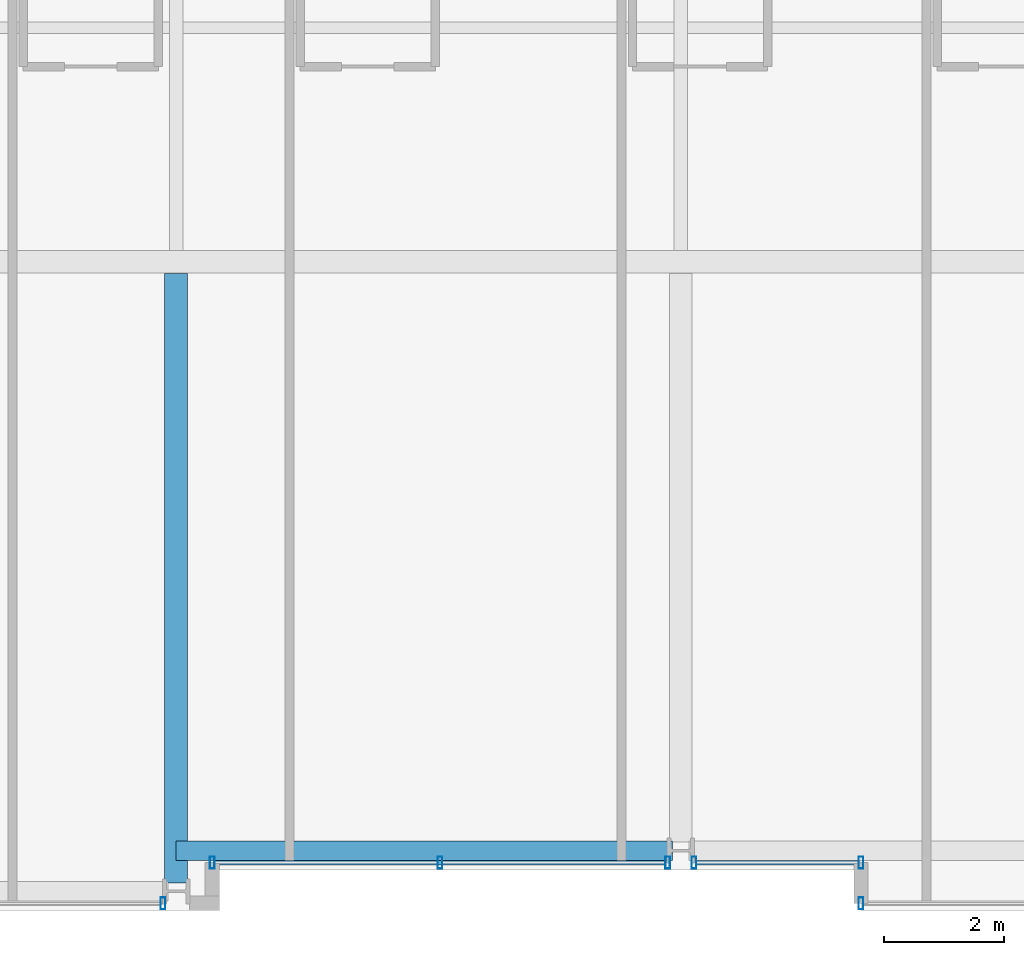
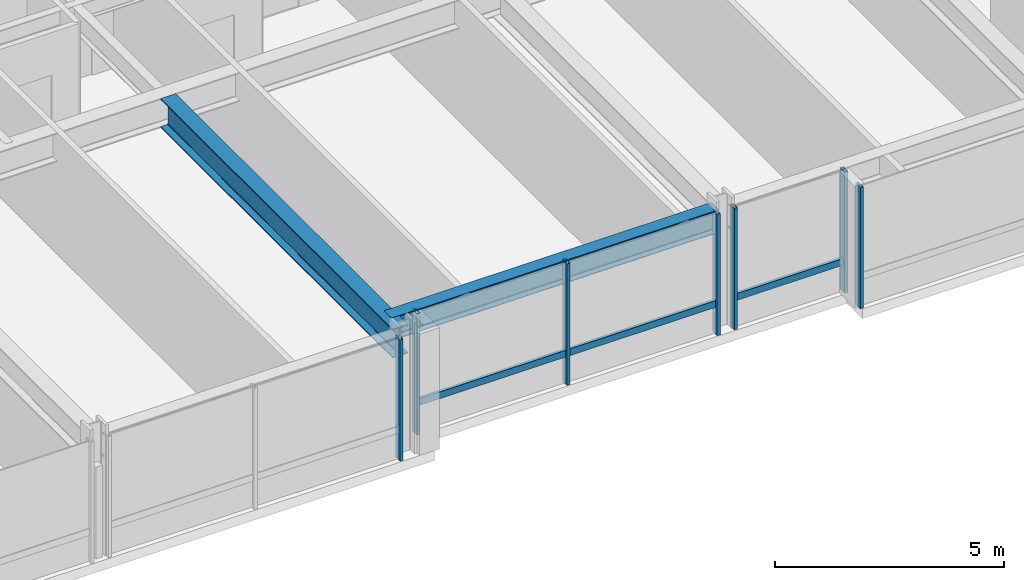
# One storey, part 5 of 34: 9 members, 2 beams, 4 elements without a shape of their own.
"""IFC4 building model written with IfcOpenShell, lengths in metres."""

import ifcopenshell
import ifcopenshell.guid

model = None  # the IFC model being written
_history = None  # IfcOwnerHistory: only IFC2X3 demands one
_inside = {}  # id of a spatial element -> (the spatial element, [elements in it])
_under = {}  # id of a project, library or spatial element -> (it, [spatial elements below it])
_declared = {}  # id of a project -> (the project, [libraries it declares])
_typed = {}  # id of a type object -> (the type object, [elements of that type])
_made_of = {}  # id of a material, layer set ... -> (it, [elements and type objects made of it])


def new_model(schema):
    """Start an empty IFC model of exactly this schema.

    Asked for "IFC4X3", IfcOpenShell would pick the latest addendum, in which some entities
    have other attributes; the version numbers below select the first issue.
    IFC2X3 requires an IfcOwnerHistory on every rooted entity: one is made here for all.
    """
    global model, _history
    if schema == "IFC4X3":
        model = ifcopenshell.file(schema_version=(4, 3, 0, 0))
    else:
        model = ifcopenshell.file(schema=schema)
    _inside.clear()
    _under.clear()
    _declared.clear()
    _typed.clear()
    _made_of.clear()
    _history = None
    if model.schema == "IFC2X3":
        org = make("IfcOrganization", Name="unknown")
        user = make(
            "IfcPersonAndOrganization",
            ThePerson=make("IfcPerson", FamilyName="unknown"),
            TheOrganization=org,
        )
        app = make(
            "IfcApplication",
            ApplicationDeveloper=org,
            Version="unknown",
            ApplicationFullName="unknown",
            ApplicationIdentifier="unknown",
        )
        _history = make(
            "IfcOwnerHistory",
            OwningUser=user,
            OwningApplication=app,
            ChangeAction="ADDED",
            CreationDate=0,
        )
    return model


def make(cls, **values):
    """One entity of the class cls with the attributes given. An attribute that is None is left unset."""
    return model.create_entity(
        cls, **{name: value for name, value in values.items() if value is not None}
    )


def rooted(cls, **values):
    """An entity with a GlobalId (a new one), such as an element, a storey or a relation."""
    return make(cls, GlobalId=ifcopenshell.guid.new(), OwnerHistory=_history, **values)


def si_unit(unit_type, name, prefix=None):
    """IfcSIUnit, for example si_unit("LENGTHUNIT", "METRE", prefix="MILLI")."""
    return make("IfcSIUnit", UnitType=unit_type, Prefix=prefix, Name=name)


def assignment(units):
    """IfcUnitAssignment: the units of a project."""
    return None if units is None else make("IfcUnitAssignment", Units=units)


def point(xyz):
    """IfcCartesianPoint."""
    return None if xyz is None else make("IfcCartesianPoint", Coordinates=xyz)


def direction(xyz):
    """IfcDirection."""
    return None if xyz is None else make("IfcDirection", DirectionRatios=xyz)


def frame(location, z_axis=None, x_axis=None):
    """IfcAxis2Placement3D, a coordinate frame: its origin and axes. An axis left out is left unset."""
    return make(
        "IfcAxis2Placement3D",
        Location=point(location),
        Axis=direction(z_axis),
        RefDirection=direction(x_axis),
    )


def frame_2d(location, x_axis=None):
    """IfcAxis2Placement2D, a coordinate frame in the plane: its origin and x axis."""
    return make(
        "IfcAxis2Placement2D", Location=point(location), RefDirection=direction(x_axis)
    )


def origin():
    """The frame at (0, 0, 0) with its axes left unset."""
    return frame((0.0, 0.0, 0.0))


def origin_2d():
    """The frame at (0, 0) in the plane with its x axis left unset."""
    return frame_2d((0.0, 0.0))


def place(relative_to, where):
    """IfcLocalPlacement: puts the frame where relative to a parent placement (None: the world)."""
    return make(
        "IfcLocalPlacement", PlacementRelTo=relative_to, RelativePlacement=where
    )


def context(
    kind, dimensions, precision=None, world=None, true_north=None, identifier=None
):
    """IfcGeometricRepresentationContext, for example the 3D "Model" context."""
    return make(
        "IfcGeometricRepresentationContext",
        ContextIdentifier=identifier,
        ContextType=kind,
        CoordinateSpaceDimension=dimensions,
        Precision=precision,
        WorldCoordinateSystem=world,
        TrueNorth=true_north,
    )


def subcontext(parent, identifier, kind, view, scale=None):
    """IfcGeometricRepresentationSubContext, for example "Body" below "Model"."""
    return make(
        "IfcGeometricRepresentationSubContext",
        ContextIdentifier=identifier,
        ContextType=kind,
        ParentContext=parent,
        TargetScale=scale,
        TargetView=view,
    )


def project(units=None, contexts=None):
    """IfcProject with its units and contexts."""
    return rooted(
        "IfcProject",
        Name="project",
        RepresentationContexts=contexts,
        UnitsInContext=assignment(units),
    )


def spatial(cls, under=None, at=None, **own):
    """A site, building, storey or space (cls), placed at a placement, below another one or the project."""
    s = rooted(cls, ObjectPlacement=at, **own)
    if under is not None:
        _under.setdefault(under.id(), (under, []))[1].append(s)
    return s


def profile(cls, at=None, kind="AREA", **sizes):
    """A parametric profile (cls). Its sizes go by their IFC names, for example OverallWidth=200.0."""
    return make(cls, ProfileType=kind, Position=at, **sizes)


def hollow_rectangle(**sizes):
    """IfcRectangleHollowProfileDef."""
    return profile("IfcRectangleHollowProfileDef", **sizes)


def i_section(**sizes):
    """IfcIShapeProfileDef."""
    return profile("IfcIShapeProfileDef", **sizes)


def extrude(swept, where, along, depth):
    """IfcExtrudedAreaSolid: the profile swept, set in the frame where, extruded along a direction by depth."""
    return make(
        "IfcExtrudedAreaSolid",
        SweptArea=swept,
        Position=where,
        ExtrudedDirection=direction(along),
        Depth=depth,
    )


def shape(context_of_items, identifier, shape_type, items):
    """IfcShapeRepresentation: the items that make up one representation, for example the "Body"."""
    return make(
        "IfcShapeRepresentation",
        ContextOfItems=context_of_items,
        RepresentationIdentifier=identifier,
        RepresentationType=shape_type,
        Items=items,
    )


def material(Name=None, Category=None):
    """IfcMaterial."""
    return make("IfcMaterial", Name=Name, Category=Category)


def layer(
    of_material, thickness, ventilated=None, Name=None, Category=None, Priority=None
):
    """IfcMaterialLayer: one layer of a wall or slab, of a material (None: an air gap)."""
    return make(
        "IfcMaterialLayer",
        Material=of_material,
        LayerThickness=thickness,
        IsVentilated=ventilated,
        Name=Name,
        Category=Category,
        Priority=Priority,
    )


def layer_set(layers, Name=None):
    """IfcMaterialLayerSet."""
    return make("IfcMaterialLayerSet", MaterialLayers=layers, LayerSetName=Name)


def material_profile(
    of_material, cross_section, Name=None, Category=None, Priority=None
):
    """IfcMaterialProfile: a cross section and its material."""
    return make(
        "IfcMaterialProfile",
        Name=Name,
        Material=of_material,
        Profile=cross_section,
        Priority=Priority,
        Category=Category,
    )


def profile_set(profiles, Name=None, composite=None):
    """IfcMaterialProfileSet."""
    return make(
        "IfcMaterialProfileSet",
        Name=Name,
        MaterialProfiles=profiles,
        CompositeProfile=composite,
    )


def made_of(thing, what):
    """Note that an element or type object is made of a material, layer set ...; save() writes the relation."""
    if what is not None:
        _made_of.setdefault(what.id(), (what, []))[1].append(thing)
    return thing


def type_object(cls, material=None, **own):
    """A type object (cls), such as IfcWallType, which elements share."""
    return made_of(rooted(cls, **own), material)


def element(
    cls,
    number,
    at=None,
    inside=None,
    cuts=None,
    type_object=None,
    material=None,
    context=None,
    identifier="Body",
    shape_type=None,
    held_by="IfcProductDefinitionShape",
    body=None,
    shapes=None,
    **own,
):
    """One element of the class cls, such as IfcWall. Its Tag is "e" and its number.

    at: its placement. inside: the storey or other place that contains it. cuts: it is an
    opening in that element (IfcRelVoidsElement). A single representation is given by context,
    identifier, shape_type and body (its items); several are given by shapes. held_by: the class
    of the entity that holds the representations. save() writes the other relations.
    """
    e = rooted(cls, Tag="e%d" % number, ObjectPlacement=at, **own)
    if body is not None:
        shapes = [shape(context, identifier, shape_type, body)]
    if shapes is not None:
        e.Representation = make(held_by, Representations=shapes)
    if inside is not None:
        _inside.setdefault(inside.id(), (inside, []))[1].append(e)
    if cuts is not None:
        rooted(
            "IfcRelVoidsElement", RelatingBuildingElement=cuts, RelatedOpeningElement=e
        )
    if type_object is not None:
        _typed.setdefault(type_object.id(), (type_object, []))[1].append(e)
    return made_of(e, material)


def aggregate(whole, parts):
    """IfcRelAggregates: a whole, such as a stair, and the parts it consists of."""
    return rooted("IfcRelAggregates", RelatingObject=whole, RelatedObjects=parts)


def save(model, path):
    """Write the relations noted so far, then the file.

    IfcRelAggregates (storeys below a building ...), IfcRelContainedInSpatialStructure (elements
    in a storey), IfcRelDefinesByType, IfcRelAssociatesMaterial and IfcRelDeclares: one each for
    every whole, place, type object, material and project.
    """
    for whole, parts in _under.values():
        aggregate(whole, parts)
    for where, things in _inside.values():
        rooted(
            "IfcRelContainedInSpatialStructure",
            RelatedElements=things,
            RelatingStructure=where,
        )
    for kind, things in _typed.values():
        rooted("IfcRelDefinesByType", RelatedObjects=things, RelatingType=kind)
    for what, things in _made_of.values():
        rooted("IfcRelAssociatesMaterial", RelatedObjects=things, RelatingMaterial=what)
    for by, libraries in _declared.values():
        rooted("IfcRelDeclares", RelatingContext=by, RelatedDefinitions=libraries)
    model.write(path)


model = new_model("IFC4")

# Units and contexts
model_context = context("Model", 3, precision=1e-05, world=origin(), true_north=direction((0.0, 1.0)))
body_context = subcontext(model_context, "Body", "Model", "MODEL_VIEW")
ifc_project = project(units=[si_unit("LENGTHUNIT", "METRE"), si_unit("AREAUNIT", "SQUARE_METRE"), si_unit("VOLUMEUNIT", "CUBIC_METRE"), si_unit("PLANEANGLEUNIT", "RADIAN"), si_unit("MASSUNIT", "GRAM", prefix="KILO")], contexts=[model_context])

# Site, building, storey
site_placement = place(None, origin())
site = spatial("IfcSite", under=ifc_project, at=site_placement, CompositionType="ELEMENT")
building_placement = place(site_placement, origin())
building = spatial("IfcBuilding", under=site, at=building_placement, Name="Drelvath Grand Hotel", CompositionType="ELEMENT")
storey_placement = place(building_placement, frame((0.0, 0.0, 91.800048828125)))
storey = spatial("IfcBuildingStorey", under=building, at=storey_placement, Name="L22", CompositionType="ELEMENT", Elevation=91.800048828125)

# Curtain wall, member
ifc_material_1 = material(Name="Champagne Bronze Anodised Aluminium Frame", Category="aluminium")
ifc_layer = layer(ifc_material_1, 0.199951171875)
ifc_layer_set = layer_set([ifc_layer], Name="Champagne Bronze Anodised Aluminium Frame")
curtain_wall_type = type_object("IfcCurtainWallType", Name="Stick Curtain Wall CW-03 Champagne Bronze Mid-Rise", PredefinedType="NOTDEFINED", material=ifc_layer_set)
curtain_wall_1_placement = place(storey_placement, origin())
curtain_wall_1 = element("IfcCurtainWall", 1, at=curtain_wall_1_placement, inside=storey, type_object=curtain_wall_type, Name="L22 CW-03 Curtain Wall CW03-L22-SM1", PredefinedType="NOTDEFINED")
ifc_material_profile_1 = material_profile(ifc_material_1, hollow_rectangle(XDim=0.074951171875, YDim=0.179931640625, WallThickness=0.0048828125, at=origin_2d()), Name="HSS180X75X5")
ifc_profile_set_1 = profile_set([ifc_material_profile_1], Name="Champagne Bronze Anodised Aluminium Frame")
member_type_1 = type_object("IfcMemberType", Name="Curtain Wall Horizontal Transom CW-03 HSS180X75X5", PredefinedType="USERDEFINED", material=ifc_profile_set_1)
member_1_placement = place(storey_placement, frame((-0.259521484375, 0.800048828125, 0.81005859375), z_axis=(-1.0, 0.0, 0.0), x_axis=(0.0, -1.0, 0.0)))
member_1 = element("IfcMember", 2, at=member_1_placement, type_object=member_type_1, Name="CW03-L22-SM1 Sill Transom", ObjectType="TRANSOM", PredefinedType="USERDEFINED", context=body_context, shape_type="SweptSolid", body=[
    extrude(hollow_rectangle(XDim=0.074951171875, YDim=0.179931640625, WallThickness=0.0048828125, at=origin_2d()), origin(), (0.0, 0.0, 1.0), 7.50048828125),
])

curtain_wall_2_placement = place(storey_placement, origin())
curtain_wall_2 = element("IfcCurtainWall", 3, at=curtain_wall_2_placement, inside=storey, type_object=curtain_wall_type, Name="L22 CW-03 Curtain Wall CW03-L22-SM2", PredefinedType="NOTDEFINED")
member_2_placement = place(storey_placement, frame((2.9599609375, 0.800048828125, 0.81005859375), z_axis=(-1.0, 0.0, 0.0), x_axis=(0.0, -1.0, 0.0)))
member_2 = element("IfcMember", 4, at=member_2_placement, type_object=member_type_1, Name="CW03-L22-SM2 Sill Transom", ObjectType="TRANSOM", PredefinedType="USERDEFINED", context=body_context, shape_type="SweptSolid", body=[
    extrude(hollow_rectangle(XDim=0.074951171875, YDim=0.179931640625, WallThickness=0.0048828125, at=origin_2d()), origin(), (0.0, 0.0, 1.0), 2.700439453125),
])

curtain_wall_3_placement = place(storey_placement, origin())
curtain_wall_3 = element("IfcCurtainWall", 5, at=curtain_wall_3_placement, inside=storey, type_object=curtain_wall_type, Name="L22 CW-03 Curtain Wall CW03-L22-SE1", PredefinedType="NOTDEFINED")
ifc_material_profile_2 = material_profile(ifc_material_1, hollow_rectangle(XDim=0.080078125, YDim=0.199951171875, WallThickness=0.0048828125, at=origin_2d()), Name="HSS200X80X5")
ifc_profile_set_2 = profile_set([ifc_material_profile_2], Name="Champagne Bronze Anodised Aluminium Frame")
member_type_2 = type_object("IfcMemberType", Name="Curtain Wall Vertical Mullion CW-03 HSS200X80X5", PredefinedType="MULLION", material=ifc_profile_set_2)
member_3_placement = place(storey_placement, frame((3.0, 0.1201171875, 0.0), z_axis=(0.0, 0.0, 1.0), x_axis=(1.0, 0.0, 0.0)))
member_3 = element("IfcMember", 6, at=member_3_placement, type_object=member_type_2, Name="CW03-L22-SE1 Mullion 2", PredefinedType="MULLION", context=body_context, shape_type="SweptSolid", body=[
    extrude(hollow_rectangle(XDim=0.080078125, YDim=0.199951171875, WallThickness=0.0048828125, at=origin_2d()), origin(), (0.0, 0.0, 1.0), 3.239990234375),
])
aggregate(curtain_wall_3, [member_3])

# Member
member_4_placement = place(storey_placement, frame((-0.219482421875, 0.800048828125, 0.0), z_axis=(0.0, 0.0, 1.0), x_axis=(1.0, 0.0, 0.0)))
member_4 = element("IfcMember", 7, at=member_4_placement, type_object=member_type_2, Name="CW03-L22-SM1 Mullion 1", PredefinedType="MULLION", context=body_context, shape_type="SweptSolid", body=[
    extrude(hollow_rectangle(XDim=0.080078125, YDim=0.199951171875, WallThickness=0.0048828125, at=origin_2d()), origin(), (0.0, 0.0, 1.0), 3.239990234375),
])

member_5_placement = place(storey_placement, frame((-4.009765625, 0.800048828125, 0.0), z_axis=(0.0, 0.0, 1.0), x_axis=(1.0, 0.0, 0.0)))
member_5 = element("IfcMember", 8, at=member_5_placement, type_object=member_type_2, Name="CW03-L22-SM1 Mullion 2", PredefinedType="MULLION", context=body_context, shape_type="SweptSolid", body=[
    extrude(hollow_rectangle(XDim=0.080078125, YDim=0.199951171875, WallThickness=0.0048828125, at=origin_2d()), origin(), (0.0, 0.0, 1.0), 3.239990234375),
])

member_6_placement = place(storey_placement, frame((-7.800048828125, 0.800048828125, 0.0), z_axis=(0.0, 0.0, 1.0), x_axis=(1.0, 0.0, 0.0)))
member_6 = element("IfcMember", 9, at=member_6_placement, type_object=member_type_2, Name="CW03-L22-SM1 Mullion 3", PredefinedType="MULLION", context=body_context, shape_type="SweptSolid", body=[
    extrude(hollow_rectangle(XDim=0.080078125, YDim=0.199951171875, WallThickness=0.0048828125, at=origin_2d()), origin(), (0.0, 0.0, 1.0), 3.239990234375),
])

aggregate(curtain_wall_1, [member_4, member_5, member_6, member_1])

member_7_placement = place(storey_placement, frame((3.0, 0.800048828125, 0.0), z_axis=(0.0, 0.0, 1.0), x_axis=(1.0, 0.0, 0.0)))
member_7 = element("IfcMember", 10, at=member_7_placement, type_object=member_type_2, Name="CW03-L22-SM2 Mullion 1", PredefinedType="MULLION", context=body_context, shape_type="SweptSolid", body=[
    extrude(hollow_rectangle(XDim=0.080078125, YDim=0.199951171875, WallThickness=0.0048828125, at=origin_2d()), origin(), (0.0, 0.0, 1.0), 3.239990234375),
])

member_8_placement = place(storey_placement, frame((0.219482421875, 0.800048828125, 0.0), z_axis=(0.0, 0.0, 1.0), x_axis=(1.0, 0.0, 0.0)))
member_8 = element("IfcMember", 11, at=member_8_placement, type_object=member_type_2, Name="CW03-L22-SM2 Mullion 2", PredefinedType="MULLION", context=body_context, shape_type="SweptSolid", body=[
    extrude(hollow_rectangle(XDim=0.080078125, YDim=0.199951171875, WallThickness=0.0048828125, at=origin_2d()), origin(), (0.0, 0.0, 1.0), 3.239990234375),
])

aggregate(curtain_wall_2, [member_7, member_8, member_2])

# Curtain wall, member
curtain_wall_4_placement = place(storey_placement, origin())
curtain_wall_4 = element("IfcCurtainWall", 12, at=curtain_wall_4_placement, inside=storey, type_object=curtain_wall_type, Name="L22 CW-03 Curtain Wall CW03-L22-SW2", PredefinedType="NOTDEFINED")
member_9_placement = place(storey_placement, frame((-8.61962890625, 0.1201171875, 0.0), z_axis=(0.0, 0.0, 1.0), x_axis=(1.0, 0.0, 0.0)))
member_9 = element("IfcMember", 13, at=member_9_placement, type_object=member_type_2, Name="CW03-L22-SW2 Mullion 1", PredefinedType="MULLION", context=body_context, shape_type="SweptSolid", body=[
    extrude(hollow_rectangle(XDim=0.080078125, YDim=0.199951171875, WallThickness=0.0048828125, at=origin_2d()), origin(), (0.0, 0.0, 1.0), 3.239990234375),
])
aggregate(curtain_wall_4, [member_9])

# Beams
ifc_material_2 = material(Name="Steel ASTM A992 Gr 50", Category="steel")
ifc_material_profile_3 = material_profile(ifc_material_2, i_section(OverallWidth=0.323974609375, OverallDepth=0.611083984375, WebThickness=0.0126953125, FlangeThickness=0.01904296875, FilletRadius=0.02197265625, at=origin_2d()), Name="W24X104")
ifc_profile_set_3 = profile_set([ifc_material_profile_3], Name="Steel ASTM A992 Gr 50")
beam_type_1 = type_object("IfcBeamType", Name="Perimeter Spandrel Beam W24X104", PredefinedType="SPANDREL", material=ifc_profile_set_3)
beam_1_placement = place(storey_placement, frame((-8.39990234375, 1.0, 2.9345703125), z_axis=(1.0, 0.0, 0.0), x_axis=(0.0, 1.0, 0.0)))
element("IfcBeam", 14, at=beam_1_placement, inside=storey, type_object=beam_type_1, Name="L22 Spandrel South Mid W", PredefinedType="SPANDREL", context=body_context, shape_type="SweptSolid", body=[
    extrude(i_section(OverallWidth=0.323974609375, OverallDepth=0.611083984375, WebThickness=0.0126953125, FlangeThickness=0.01904296875, FilletRadius=0.02197265625, at=origin_2d()), origin(), (0.0, 0.0, 1.0), 8.260009765625),
])
ifc_material_profile_4 = material_profile(ifc_material_2, i_section(OverallWidth=0.380615234375, OverallDepth=0.773193359375, WebThickness=0.0166015625, FlangeThickness=0.027099609375, FilletRadius=0.02490234375, at=origin_2d()), Name="W30X173")
ifc_profile_set_4 = profile_set([ifc_material_profile_4], Name="Steel ASTM A992 Gr 50")
beam_type_2 = type_object("IfcBeamType", Name="Primary Floor Girder W30X173", PredefinedType="BEAM", material=ifc_profile_set_4)
beam_2_placement = place(storey_placement, frame((-8.39990234375, 0.4599609375, 2.853271484375), z_axis=(0.0, 1.0, 0.0), x_axis=(-1.0, 0.0, 0.0)))
element("IfcBeam", 15, at=beam_2_placement, inside=storey, type_object=beam_type_2, Name="L22 South Wing Girder 4", PredefinedType="BEAM", context=body_context, shape_type="SweptSolid", body=[
    extrude(i_section(OverallWidth=0.380615234375, OverallDepth=0.773193359375, WebThickness=0.0166015625, FlangeThickness=0.027099609375, FilletRadius=0.02490234375, at=origin_2d()), origin(), (0.0, 0.0, 1.0), 10.149658203125),
])

save(model, "model.ifc")
